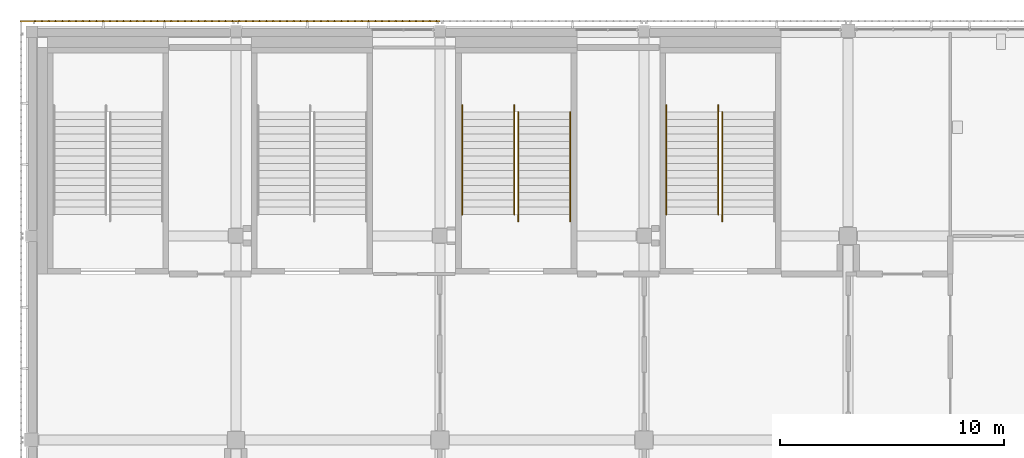
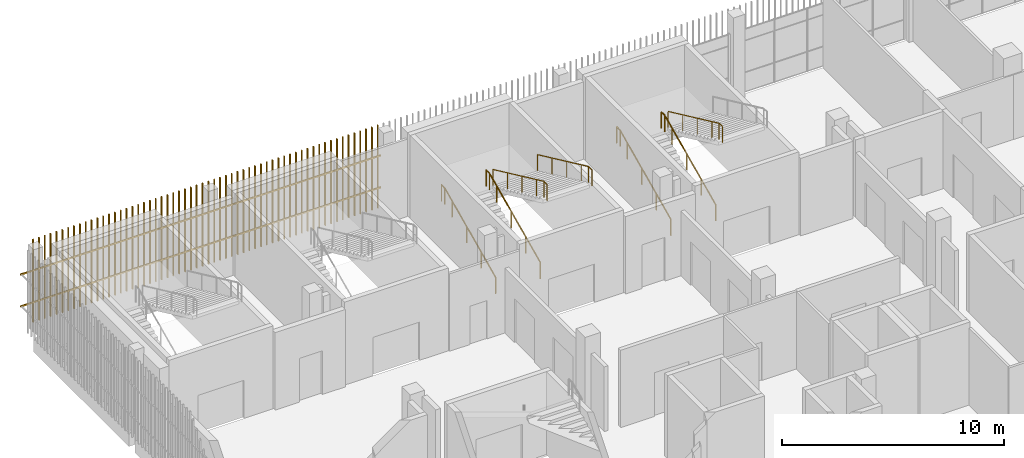
# One storey, part 95 of 104: 7 railings, 2 shading devices.
"""IFC4 building model written with IfcOpenShell, lengths in metres."""

import ifcopenshell
import ifcopenshell.guid

model = None  # the IFC model being written
_history = None  # IfcOwnerHistory: only IFC2X3 demands one
_inside = {}  # id of a spatial element -> (the spatial element, [elements in it])
_under = {}  # id of a project, library or spatial element -> (it, [spatial elements below it])
_declared = {}  # id of a project -> (the project, [libraries it declares])
_typed = {}  # id of a type object -> (the type object, [elements of that type])
_made_of = {}  # id of a material, layer set ... -> (it, [elements and type objects made of it])


def new_model(schema):
    """Start an empty IFC model of exactly this schema.

    Asked for "IFC4X3", IfcOpenShell would pick the latest addendum, in which some entities
    have other attributes; the version numbers below select the first issue.
    IFC2X3 requires an IfcOwnerHistory on every rooted entity: one is made here for all.
    """
    global model, _history
    if schema == "IFC4X3":
        model = ifcopenshell.file(schema_version=(4, 3, 0, 0))
    else:
        model = ifcopenshell.file(schema=schema)
    _inside.clear()
    _under.clear()
    _declared.clear()
    _typed.clear()
    _made_of.clear()
    _history = None
    if model.schema == "IFC2X3":
        org = make("IfcOrganization", Name="unknown")
        user = make(
            "IfcPersonAndOrganization",
            ThePerson=make("IfcPerson", FamilyName="unknown"),
            TheOrganization=org,
        )
        app = make(
            "IfcApplication",
            ApplicationDeveloper=org,
            Version="unknown",
            ApplicationFullName="unknown",
            ApplicationIdentifier="unknown",
        )
        _history = make(
            "IfcOwnerHistory",
            OwningUser=user,
            OwningApplication=app,
            ChangeAction="ADDED",
            CreationDate=0,
        )
    return model


def make(cls, **values):
    """One entity of the class cls with the attributes given. An attribute that is None is left unset."""
    return model.create_entity(
        cls, **{name: value for name, value in values.items() if value is not None}
    )


def rooted(cls, **values):
    """An entity with a GlobalId (a new one), such as an element, a storey or a relation."""
    return make(cls, GlobalId=ifcopenshell.guid.new(), OwnerHistory=_history, **values)


def si_unit(unit_type, name, prefix=None):
    """IfcSIUnit, for example si_unit("LENGTHUNIT", "METRE", prefix="MILLI")."""
    return make("IfcSIUnit", UnitType=unit_type, Prefix=prefix, Name=name)


def assignment(units):
    """IfcUnitAssignment: the units of a project."""
    return None if units is None else make("IfcUnitAssignment", Units=units)


def point(xyz):
    """IfcCartesianPoint."""
    return None if xyz is None else make("IfcCartesianPoint", Coordinates=xyz)


def direction(xyz):
    """IfcDirection."""
    return None if xyz is None else make("IfcDirection", DirectionRatios=xyz)


def frame(location, z_axis=None, x_axis=None):
    """IfcAxis2Placement3D, a coordinate frame: its origin and axes. An axis left out is left unset."""
    return make(
        "IfcAxis2Placement3D",
        Location=point(location),
        Axis=direction(z_axis),
        RefDirection=direction(x_axis),
    )


def frame_2d(location, x_axis=None):
    """IfcAxis2Placement2D, a coordinate frame in the plane: its origin and x axis."""
    return make(
        "IfcAxis2Placement2D", Location=point(location), RefDirection=direction(x_axis)
    )


def origin():
    """The frame at (0, 0, 0) with its axes left unset."""
    return frame((0.0, 0.0, 0.0))


def origin_2d():
    """The frame at (0, 0) in the plane with its x axis left unset."""
    return frame_2d((0.0, 0.0))


def place(relative_to, where):
    """IfcLocalPlacement: puts the frame where relative to a parent placement (None: the world)."""
    return make(
        "IfcLocalPlacement", PlacementRelTo=relative_to, RelativePlacement=where
    )


def context(
    kind, dimensions, precision=None, world=None, true_north=None, identifier=None
):
    """IfcGeometricRepresentationContext, for example the 3D "Model" context."""
    return make(
        "IfcGeometricRepresentationContext",
        ContextIdentifier=identifier,
        ContextType=kind,
        CoordinateSpaceDimension=dimensions,
        Precision=precision,
        WorldCoordinateSystem=world,
        TrueNorth=true_north,
    )


def subcontext(parent, identifier, kind, view, scale=None):
    """IfcGeometricRepresentationSubContext, for example "Body" below "Model"."""
    return make(
        "IfcGeometricRepresentationSubContext",
        ContextIdentifier=identifier,
        ContextType=kind,
        ParentContext=parent,
        TargetScale=scale,
        TargetView=view,
    )


def project(units=None, contexts=None):
    """IfcProject with its units and contexts."""
    return rooted(
        "IfcProject",
        Name="project",
        RepresentationContexts=contexts,
        UnitsInContext=assignment(units),
    )


def spatial(cls, under=None, at=None, **own):
    """A site, building, storey or space (cls), placed at a placement, below another one or the project."""
    s = rooted(cls, ObjectPlacement=at, **own)
    if under is not None:
        _under.setdefault(under.id(), (under, []))[1].append(s)
    return s


def profile(cls, at=None, kind="AREA", **sizes):
    """A parametric profile (cls). Its sizes go by their IFC names, for example OverallWidth=200.0."""
    return make(cls, ProfileType=kind, Position=at, **sizes)


def rectangle(**sizes):
    """IfcRectangleProfileDef."""
    return profile("IfcRectangleProfileDef", **sizes)


def circle(**sizes):
    """IfcCircleProfileDef."""
    return profile("IfcCircleProfileDef", **sizes)


def extrude(swept, where, along, depth):
    """IfcExtrudedAreaSolid: the profile swept, set in the frame where, extruded along a direction by depth."""
    return make(
        "IfcExtrudedAreaSolid",
        SweptArea=swept,
        Position=where,
        ExtrudedDirection=direction(along),
        Depth=depth,
    )


def shape(context_of_items, identifier, shape_type, items):
    """IfcShapeRepresentation: the items that make up one representation, for example the "Body"."""
    return make(
        "IfcShapeRepresentation",
        ContextOfItems=context_of_items,
        RepresentationIdentifier=identifier,
        RepresentationType=shape_type,
        Items=items,
    )


def material(Name=None, Category=None):
    """IfcMaterial."""
    return make("IfcMaterial", Name=Name, Category=Category)


def made_of(thing, what):
    """Note that an element or type object is made of a material, layer set ...; save() writes the relation."""
    if what is not None:
        _made_of.setdefault(what.id(), (what, []))[1].append(thing)
    return thing


def type_object(cls, material=None, **own):
    """A type object (cls), such as IfcWallType, which elements share."""
    return made_of(rooted(cls, **own), material)


def element(
    cls,
    number,
    at=None,
    inside=None,
    cuts=None,
    type_object=None,
    material=None,
    context=None,
    identifier="Body",
    shape_type=None,
    held_by="IfcProductDefinitionShape",
    body=None,
    shapes=None,
    **own,
):
    """One element of the class cls, such as IfcWall. Its Tag is "e" and its number.

    at: its placement. inside: the storey or other place that contains it. cuts: it is an
    opening in that element (IfcRelVoidsElement). A single representation is given by context,
    identifier, shape_type and body (its items); several are given by shapes. held_by: the class
    of the entity that holds the representations. save() writes the other relations.
    """
    e = rooted(cls, Tag="e%d" % number, ObjectPlacement=at, **own)
    if body is not None:
        shapes = [shape(context, identifier, shape_type, body)]
    if shapes is not None:
        e.Representation = make(held_by, Representations=shapes)
    if inside is not None:
        _inside.setdefault(inside.id(), (inside, []))[1].append(e)
    if cuts is not None:
        rooted(
            "IfcRelVoidsElement", RelatingBuildingElement=cuts, RelatedOpeningElement=e
        )
    if type_object is not None:
        _typed.setdefault(type_object.id(), (type_object, []))[1].append(e)
    return made_of(e, material)


def aggregate(whole, parts):
    """IfcRelAggregates: a whole, such as a stair, and the parts it consists of."""
    return rooted("IfcRelAggregates", RelatingObject=whole, RelatedObjects=parts)


def save(model, path):
    """Write the relations noted so far, then the file.

    IfcRelAggregates (storeys below a building ...), IfcRelContainedInSpatialStructure (elements
    in a storey), IfcRelDefinesByType, IfcRelAssociatesMaterial and IfcRelDeclares: one each for
    every whole, place, type object, material and project.
    """
    for whole, parts in _under.values():
        aggregate(whole, parts)
    for where, things in _inside.values():
        rooted(
            "IfcRelContainedInSpatialStructure",
            RelatedElements=things,
            RelatingStructure=where,
        )
    for kind, things in _typed.values():
        rooted("IfcRelDefinesByType", RelatedObjects=things, RelatingType=kind)
    for what, things in _made_of.values():
        rooted("IfcRelAssociatesMaterial", RelatedObjects=things, RelatingMaterial=what)
    for by, libraries in _declared.values():
        rooted("IfcRelDeclares", RelatingContext=by, RelatedDefinitions=libraries)
    model.write(path)


model = new_model("IFC4")

# Units and contexts
model_context = context("Model", 3, precision=1e-05, world=origin(), true_north=direction((0.0, 1.0)))
body_context = subcontext(model_context, "Body", "Model", "MODEL_VIEW")
ifc_project = project(units=[si_unit("LENGTHUNIT", "METRE"), si_unit("AREAUNIT", "SQUARE_METRE"), si_unit("VOLUMEUNIT", "CUBIC_METRE"), si_unit("PLANEANGLEUNIT", "RADIAN"), si_unit("MASSUNIT", "GRAM", prefix="KILO")], contexts=[model_context])

# Site, building, storey
site_placement = place(None, origin())
site = spatial("IfcSite", under=ifc_project, at=site_placement, CompositionType="ELEMENT")
building_placement = place(site_placement, origin())
building = spatial("IfcBuilding", under=site, at=building_placement, Name="Shirokan Park Arena", CompositionType="ELEMENT")
storey_placement = place(building_placement, frame((0.0, 0.0, 10.919921875)))
storey = spatial("IfcBuildingStorey", under=building, at=storey_placement, Name="L02", CompositionType="ELEMENT", Elevation=10.919921875)

# Railings
ifc_material_1 = material(Name="Stainless steel", Category="steel")
railing_type = type_object("IfcRailingType", Name="Stair handrail 900", PredefinedType="HANDRAIL", material=ifc_material_1)
railing_1_placement = place(storey_placement, frame((19.18994140625, 101.050048828125, 0.15185546875)))
element("IfcRailing", 1, at=railing_1_placement, inside=storey, type_object=railing_type, Name="Handrail Exit Stair 4.C L02 to L03", PredefinedType="HANDRAIL", context=body_context, shape_type="SweptSolid", body=[
    extrude(circle(Radius=0.02392578125, at=origin_2d()), frame((0.0, 0.0, 0.8759765625), z_axis=(0.0, 0.907064445915, 0.420991794405), x_axis=(-1.0, 0.0, 0.0)), (0.0, 0.0, 1.0), 1.4404296875),
    extrude(circle(Radius=0.02392578125, at=origin_2d()), frame((0.0, 1.306640625, 1.482421875), z_axis=(0.0, 0.907029769225, 0.421066500378), x_axis=(-1.0, 0.0, 0.0)), (0.0, 0.0, 1.0), 1.44091796875),
    extrude(circle(Radius=0.02392578125, at=origin_2d()), frame((0.0, 2.613525390625, 2.0888671875), z_axis=(0.0, 0.907029769225, 0.421066500378), x_axis=(-1.0, 0.0, 0.0)), (0.0, 0.0, 1.0), 1.44091796875),
    extrude(circle(Radius=0.02392578125, at=origin_2d()), frame((0.0, 3.92041015625, 2.69580078125), z_axis=(0.0, 0.906934982928, 0.421270621741), x_axis=(-1.0, 0.0, 0.0)), (0.0, 0.0, 1.0), 0.720458984375),
    extrude(circle(Radius=0.02392578125, at=origin_2d()), frame((0.0, 4.57373046875, 2.9990234375), z_axis=(0.0, 1.0, 0.0), x_axis=(-1.0, 0.0, 0.0)), (0.0, 0.0, 1.0), 0.300048828125),
    extrude(circle(Radius=0.02099609375, at=origin_2d()), origin(), (0.0, 0.0, 1.0), 0.851806640625),
    extrude(circle(Radius=0.02099609375, at=origin_2d()), frame((0.0, 1.306640625, 0.6064453125)), (0.0, 0.0, 1.0), 0.851806640625),
    extrude(circle(Radius=0.02099609375, at=origin_2d()), frame((0.0, 2.613525390625, 1.213134765625)), (0.0, 0.0, 1.0), 0.851806640625),
    extrude(circle(Radius=0.02099609375, at=origin_2d()), frame((0.0, 3.92041015625, 1.81982421875)), (0.0, 0.0, 1.0), 0.851806640625),
    extrude(circle(Radius=0.02099609375, at=origin_2d()), frame((0.0, 4.57373046875, 2.123291015625)), (0.0, 0.0, 1.0), 0.851806640625),
    extrude(circle(Radius=0.02099609375, at=origin_2d()), frame((0.0, 4.873779296875, 2.123291015625)), (0.0, 0.0, 1.0), 0.851806640625),
])
railing_2_placement = place(storey_placement, frame((21.510009765625, 101.050048828125, 0.15185546875)))
element("IfcRailing", 2, at=railing_2_placement, inside=storey, type_object=railing_type, Name="Handrail Exit Stair 4.C L02 to L03", PredefinedType="HANDRAIL", context=body_context, shape_type="SweptSolid", body=[
    extrude(circle(Radius=0.02392578125, at=origin_2d()), frame((0.0, 0.0, 0.8759765625), z_axis=(0.0, 0.907064445915, 0.420991794405), x_axis=(-1.0, 0.0, 0.0)), (0.0, 0.0, 1.0), 1.4404296875),
    extrude(circle(Radius=0.02392578125, at=origin_2d()), frame((0.0, 1.306640625, 1.482421875), z_axis=(0.0, 0.907029769225, 0.421066500378), x_axis=(-1.0, 0.0, 0.0)), (0.0, 0.0, 1.0), 1.44091796875),
    extrude(circle(Radius=0.02392578125, at=origin_2d()), frame((0.0, 2.613525390625, 2.0888671875), z_axis=(0.0, 0.907029769225, 0.421066500378), x_axis=(-1.0, 0.0, 0.0)), (0.0, 0.0, 1.0), 1.44091796875),
    extrude(circle(Radius=0.02392578125, at=origin_2d()), frame((0.0, 3.92041015625, 2.69580078125), z_axis=(0.0, 0.906934982928, 0.421270621741), x_axis=(-1.0, 0.0, 0.0)), (0.0, 0.0, 1.0), 0.720458984375),
    extrude(circle(Radius=0.02392578125, at=origin_2d()), frame((0.0, 4.57373046875, 2.9990234375), z_axis=(0.0, 1.0, 0.0), x_axis=(-1.0, 0.0, 0.0)), (0.0, 0.0, 1.0), 0.300048828125),
    extrude(circle(Radius=0.02099609375, at=origin_2d()), origin(), (0.0, 0.0, 1.0), 0.851806640625),
    extrude(circle(Radius=0.02099609375, at=origin_2d()), frame((0.0, 1.306640625, 0.6064453125)), (0.0, 0.0, 1.0), 0.851806640625),
    extrude(circle(Radius=0.02099609375, at=origin_2d()), frame((0.0, 2.613525390625, 1.213134765625)), (0.0, 0.0, 1.0), 0.851806640625),
    extrude(circle(Radius=0.02099609375, at=origin_2d()), frame((0.0, 3.92041015625, 1.81982421875)), (0.0, 0.0, 1.0), 0.851806640625),
    extrude(circle(Radius=0.02099609375, at=origin_2d()), frame((0.0, 4.57373046875, 2.123291015625)), (0.0, 0.0, 1.0), 0.851806640625),
    extrude(circle(Radius=0.02099609375, at=origin_2d()), frame((0.0, 4.873779296875, 2.123291015625)), (0.0, 0.0, 1.0), 0.851806640625),
])
railing_3_placement = place(storey_placement, frame((21.68994140625, 105.623779296875, 2.4267578125)))
element("IfcRailing", 3, at=railing_3_placement, inside=storey, type_object=railing_type, Name="Handrail Exit Stair 4.C L02 to L03", PredefinedType="HANDRAIL", context=body_context, shape_type="SweptSolid", body=[
    extrude(circle(Radius=0.02392578125, at=origin_2d()), frame((0.0, 0.0, 0.8759765625), z_axis=(0.0, -0.907029769225, 0.421066500378), x_axis=(1.0, 0.0, 0.0)), (0.0, 0.0, 1.0), 1.44091796875),
    extrude(circle(Radius=0.02392578125, at=origin_2d()), frame((0.0, -1.306884765625, 1.482421875), z_axis=(0.0, -0.906999720516, 0.421131222998), x_axis=(1.0, 0.0, 0.0)), (0.0, 0.0, 1.0), 1.440673828125),
    extrude(circle(Radius=0.02392578125, at=origin_2d()), frame((0.0, -2.613525390625, 2.08935546875), z_axis=(0.0, -0.907029769225, 0.421066500378), x_axis=(1.0, 0.0, 0.0)), (0.0, 0.0, 1.0), 1.44091796875),
    extrude(circle(Radius=0.02392578125, at=origin_2d()), frame((0.0, -3.92041015625, 2.69580078125), z_axis=(0.0, -0.907064445915, 0.420991794405), x_axis=(1.0, 0.0, 0.0)), (0.0, 0.0, 1.0), 0.72021484375),
    extrude(circle(Radius=0.02392578125, at=origin_2d()), frame((0.0, -4.57373046875, 2.9990234375), z_axis=(0.0, -1.0, 0.0), x_axis=(1.0, 0.0, 0.0)), (0.0, 0.0, 1.0), 0.300048828125),
    extrude(circle(Radius=0.02099609375, at=origin_2d()), origin(), (0.0, 0.0, 1.0), 0.851806640625),
    extrude(circle(Radius=0.02099609375, at=origin_2d()), frame((0.0, -1.306884765625, 0.606689453125)), (0.0, 0.0, 1.0), 0.851806640625),
    extrude(circle(Radius=0.02099609375, at=origin_2d()), frame((0.0, -2.613525390625, 1.21337890625)), (0.0, 0.0, 1.0), 0.851806640625),
    extrude(circle(Radius=0.02099609375, at=origin_2d()), frame((0.0, -3.92041015625, 1.820068359375)), (0.0, 0.0, 1.0), 0.851806640625),
    extrude(circle(Radius=0.02099609375, at=origin_2d()), frame((0.0, -4.57373046875, 2.123291015625)), (0.0, 0.0, 1.0), 0.851806640625),
    extrude(circle(Radius=0.02099609375, at=origin_2d()), frame((0.0, -4.873779296875, 2.123291015625)), (0.0, 0.0, 1.0), 0.851806640625),
])
railing_4_placement = place(storey_placement, frame((24.010009765625, 105.623779296875, 2.4267578125)))
element("IfcRailing", 4, at=railing_4_placement, inside=storey, type_object=railing_type, Name="Handrail Exit Stair 4.C L02 to L03", PredefinedType="HANDRAIL", context=body_context, shape_type="SweptSolid", body=[
    extrude(circle(Radius=0.02392578125, at=origin_2d()), frame((0.0, 0.0, 0.8759765625), z_axis=(0.0, -0.907029769225, 0.421066500378), x_axis=(1.0, 0.0, 0.0)), (0.0, 0.0, 1.0), 1.44091796875),
    extrude(circle(Radius=0.02392578125, at=origin_2d()), frame((0.0, -1.306884765625, 1.482421875), z_axis=(0.0, -0.906999720516, 0.421131222998), x_axis=(1.0, 0.0, 0.0)), (0.0, 0.0, 1.0), 1.440673828125),
    extrude(circle(Radius=0.02392578125, at=origin_2d()), frame((0.0, -2.613525390625, 2.08935546875), z_axis=(0.0, -0.907029769225, 0.421066500378), x_axis=(1.0, 0.0, 0.0)), (0.0, 0.0, 1.0), 1.44091796875),
    extrude(circle(Radius=0.02392578125, at=origin_2d()), frame((0.0, -3.92041015625, 2.69580078125), z_axis=(0.0, -0.907064445915, 0.420991794405), x_axis=(1.0, 0.0, 0.0)), (0.0, 0.0, 1.0), 0.72021484375),
    extrude(circle(Radius=0.02392578125, at=origin_2d()), frame((0.0, -4.57373046875, 2.9990234375), z_axis=(0.0, -1.0, 0.0), x_axis=(1.0, 0.0, 0.0)), (0.0, 0.0, 1.0), 0.300048828125),
    extrude(circle(Radius=0.02099609375, at=origin_2d()), origin(), (0.0, 0.0, 1.0), 0.851806640625),
    extrude(circle(Radius=0.02099609375, at=origin_2d()), frame((0.0, -1.306884765625, 0.606689453125)), (0.0, 0.0, 1.0), 0.851806640625),
    extrude(circle(Radius=0.02099609375, at=origin_2d()), frame((0.0, -2.613525390625, 1.21337890625)), (0.0, 0.0, 1.0), 0.851806640625),
    extrude(circle(Radius=0.02099609375, at=origin_2d()), frame((0.0, -3.92041015625, 1.820068359375)), (0.0, 0.0, 1.0), 0.851806640625),
    extrude(circle(Radius=0.02099609375, at=origin_2d()), frame((0.0, -4.57373046875, 2.123291015625)), (0.0, 0.0, 1.0), 0.851806640625),
    extrude(circle(Radius=0.02099609375, at=origin_2d()), frame((0.0, -4.873779296875, 2.123291015625)), (0.0, 0.0, 1.0), 0.851806640625),
])
railing_5_placement = place(storey_placement, frame((28.2900390625, 101.050048828125, 0.15185546875)))
element("IfcRailing", 5, at=railing_5_placement, inside=storey, type_object=railing_type, Name="Handrail Exit Stair 4.D L02 to L03", PredefinedType="HANDRAIL", context=body_context, shape_type="SweptSolid", body=[
    extrude(circle(Radius=0.02392578125, at=origin_2d()), frame((0.0, 0.0, 0.8759765625), z_axis=(0.0, 0.907064445915, 0.420991794405), x_axis=(-1.0, 0.0, 0.0)), (0.0, 0.0, 1.0), 1.4404296875),
    extrude(circle(Radius=0.02392578125, at=origin_2d()), frame((0.0, 1.306640625, 1.482421875), z_axis=(0.0, 0.907029769225, 0.421066500378), x_axis=(-1.0, 0.0, 0.0)), (0.0, 0.0, 1.0), 1.44091796875),
    extrude(circle(Radius=0.02392578125, at=origin_2d()), frame((0.0, 2.613525390625, 2.0888671875), z_axis=(0.0, 0.907029769225, 0.421066500378), x_axis=(-1.0, 0.0, 0.0)), (0.0, 0.0, 1.0), 1.44091796875),
    extrude(circle(Radius=0.02392578125, at=origin_2d()), frame((0.0, 3.92041015625, 2.69580078125), z_axis=(0.0, 0.906934982928, 0.421270621741), x_axis=(-1.0, 0.0, 0.0)), (0.0, 0.0, 1.0), 0.720458984375),
    extrude(circle(Radius=0.02392578125, at=origin_2d()), frame((0.0, 4.57373046875, 2.9990234375), z_axis=(0.0, 1.0, 0.0), x_axis=(-1.0, 0.0, 0.0)), (0.0, 0.0, 1.0), 0.300048828125),
    extrude(circle(Radius=0.02099609375, at=origin_2d()), origin(), (0.0, 0.0, 1.0), 0.851806640625),
    extrude(circle(Radius=0.02099609375, at=origin_2d()), frame((0.0, 1.306640625, 0.6064453125)), (0.0, 0.0, 1.0), 0.851806640625),
    extrude(circle(Radius=0.02099609375, at=origin_2d()), frame((0.0, 2.613525390625, 1.213134765625)), (0.0, 0.0, 1.0), 0.851806640625),
    extrude(circle(Radius=0.02099609375, at=origin_2d()), frame((0.0, 3.92041015625, 1.81982421875)), (0.0, 0.0, 1.0), 0.851806640625),
    extrude(circle(Radius=0.02099609375, at=origin_2d()), frame((0.0, 4.57373046875, 2.123291015625)), (0.0, 0.0, 1.0), 0.851806640625),
    extrude(circle(Radius=0.02099609375, at=origin_2d()), frame((0.0, 4.873779296875, 2.123291015625)), (0.0, 0.0, 1.0), 0.851806640625),
])
railing_6_placement = place(storey_placement, frame((30.610107421875, 101.050048828125, 0.15185546875)))
element("IfcRailing", 6, at=railing_6_placement, inside=storey, type_object=railing_type, Name="Handrail Exit Stair 4.D L02 to L03", PredefinedType="HANDRAIL", context=body_context, shape_type="SweptSolid", body=[
    extrude(circle(Radius=0.02392578125, at=origin_2d()), frame((0.0, 0.0, 0.8759765625), z_axis=(0.0, 0.907064445915, 0.420991794405), x_axis=(-1.0, 0.0, 0.0)), (0.0, 0.0, 1.0), 1.4404296875),
    extrude(circle(Radius=0.02392578125, at=origin_2d()), frame((0.0, 1.306640625, 1.482421875), z_axis=(0.0, 0.907029769225, 0.421066500378), x_axis=(-1.0, 0.0, 0.0)), (0.0, 0.0, 1.0), 1.44091796875),
    extrude(circle(Radius=0.02392578125, at=origin_2d()), frame((0.0, 2.613525390625, 2.0888671875), z_axis=(0.0, 0.907029769225, 0.421066500378), x_axis=(-1.0, 0.0, 0.0)), (0.0, 0.0, 1.0), 1.44091796875),
    extrude(circle(Radius=0.02392578125, at=origin_2d()), frame((0.0, 3.92041015625, 2.69580078125), z_axis=(0.0, 0.906934982928, 0.421270621741), x_axis=(-1.0, 0.0, 0.0)), (0.0, 0.0, 1.0), 0.720458984375),
    extrude(circle(Radius=0.02392578125, at=origin_2d()), frame((0.0, 4.57373046875, 2.9990234375), z_axis=(0.0, 1.0, 0.0), x_axis=(-1.0, 0.0, 0.0)), (0.0, 0.0, 1.0), 0.300048828125),
    extrude(circle(Radius=0.02099609375, at=origin_2d()), origin(), (0.0, 0.0, 1.0), 0.851806640625),
    extrude(circle(Radius=0.02099609375, at=origin_2d()), frame((0.0, 1.306640625, 0.6064453125)), (0.0, 0.0, 1.0), 0.851806640625),
    extrude(circle(Radius=0.02099609375, at=origin_2d()), frame((0.0, 2.613525390625, 1.213134765625)), (0.0, 0.0, 1.0), 0.851806640625),
    extrude(circle(Radius=0.02099609375, at=origin_2d()), frame((0.0, 3.92041015625, 1.81982421875)), (0.0, 0.0, 1.0), 0.851806640625),
    extrude(circle(Radius=0.02099609375, at=origin_2d()), frame((0.0, 4.57373046875, 2.123291015625)), (0.0, 0.0, 1.0), 0.851806640625),
    extrude(circle(Radius=0.02099609375, at=origin_2d()), frame((0.0, 4.873779296875, 2.123291015625)), (0.0, 0.0, 1.0), 0.851806640625),
])
railing_7_placement = place(storey_placement, frame((30.7900390625, 105.623779296875, 2.4267578125)))
element("IfcRailing", 7, at=railing_7_placement, inside=storey, type_object=railing_type, Name="Handrail Exit Stair 4.D L02 to L03", PredefinedType="HANDRAIL", context=body_context, shape_type="SweptSolid", body=[
    extrude(circle(Radius=0.02392578125, at=origin_2d()), frame((0.0, 0.0, 0.8759765625), z_axis=(0.0, -0.907029769225, 0.421066500378), x_axis=(1.0, 0.0, 0.0)), (0.0, 0.0, 1.0), 1.44091796875),
    extrude(circle(Radius=0.02392578125, at=origin_2d()), frame((0.0, -1.306884765625, 1.482421875), z_axis=(0.0, -0.906999720516, 0.421131222998), x_axis=(1.0, 0.0, 0.0)), (0.0, 0.0, 1.0), 1.440673828125),
    extrude(circle(Radius=0.02392578125, at=origin_2d()), frame((0.0, -2.613525390625, 2.08935546875), z_axis=(0.0, -0.907029769225, 0.421066500378), x_axis=(1.0, 0.0, 0.0)), (0.0, 0.0, 1.0), 1.44091796875),
    extrude(circle(Radius=0.02392578125, at=origin_2d()), frame((0.0, -3.92041015625, 2.69580078125), z_axis=(0.0, -0.907064445915, 0.420991794405), x_axis=(1.0, 0.0, 0.0)), (0.0, 0.0, 1.0), 0.72021484375),
    extrude(circle(Radius=0.02392578125, at=origin_2d()), frame((0.0, -4.57373046875, 2.9990234375), z_axis=(0.0, -1.0, 0.0), x_axis=(1.0, 0.0, 0.0)), (0.0, 0.0, 1.0), 0.300048828125),
    extrude(circle(Radius=0.02099609375, at=origin_2d()), origin(), (0.0, 0.0, 1.0), 0.851806640625),
    extrude(circle(Radius=0.02099609375, at=origin_2d()), frame((0.0, -1.306884765625, 0.606689453125)), (0.0, 0.0, 1.0), 0.851806640625),
    extrude(circle(Radius=0.02099609375, at=origin_2d()), frame((0.0, -2.613525390625, 1.21337890625)), (0.0, 0.0, 1.0), 0.851806640625),
    extrude(circle(Radius=0.02099609375, at=origin_2d()), frame((0.0, -3.92041015625, 1.820068359375)), (0.0, 0.0, 1.0), 0.851806640625),
    extrude(circle(Radius=0.02099609375, at=origin_2d()), frame((0.0, -4.57373046875, 2.123291015625)), (0.0, 0.0, 1.0), 0.851806640625),
    extrude(circle(Radius=0.02099609375, at=origin_2d()), frame((0.0, -4.873779296875, 2.123291015625)), (0.0, 0.0, 1.0), 0.851806640625),
])

# Shading devices
ifc_material_2 = material(Name="Timber louvre veil (cedar)", Category="wood")
shading_device_type = type_object("IfcShadingDeviceType", Name="Timber louvre veil panel", PredefinedType="JALOUSIE", material=ifc_material_2)
shading_device_1_placement = place(storey_placement, origin())
element("IfcShadingDevice", 8, at=shading_device_1_placement, inside=storey, type_object=shading_device_type, Name="Timber louvre veil north bay 15 L02", PredefinedType="JALOUSIE", context=body_context, shape_type="SweptSolid", body=[
    extrude(rectangle(XDim=0.050048828125, YDim=0.080078125, at=origin_2d()), frame((18.04833984375, 109.68505859375, 0.0), z_axis=(0.0, 0.0, 1.0), x_axis=(-1.0, 0.0, 0.0)), (0.0, 0.0, 1.0), 4.550048828125),
    extrude(rectangle(XDim=0.050048828125, YDim=0.080078125, at=origin_2d()), frame((17.7451171875, 109.68505859375, 0.0), z_axis=(0.0, 0.0, 1.0), x_axis=(-1.0, 0.0, 0.0)), (0.0, 0.0, 1.0), 4.550048828125),
    extrude(rectangle(XDim=0.050048828125, YDim=0.080078125, at=origin_2d()), frame((17.441650390625, 109.68505859375, 0.0), z_axis=(0.0, 0.0, 1.0), x_axis=(-1.0, 0.0, 0.0)), (0.0, 0.0, 1.0), 4.550048828125),
    extrude(rectangle(XDim=0.050048828125, YDim=0.080078125, at=origin_2d()), frame((17.138427734375, 109.68505859375, 0.0), z_axis=(0.0, 0.0, 1.0), x_axis=(-1.0, 0.0, 0.0)), (0.0, 0.0, 1.0), 4.550048828125),
    extrude(rectangle(XDim=0.050048828125, YDim=0.080078125, at=origin_2d()), frame((16.8349609375, 109.68505859375, 0.0), z_axis=(0.0, 0.0, 1.0), x_axis=(-1.0, 0.0, 0.0)), (0.0, 0.0, 1.0), 4.550048828125),
    extrude(rectangle(XDim=0.050048828125, YDim=0.080078125, at=origin_2d()), frame((16.53173828125, 109.68505859375, 0.0), z_axis=(0.0, 0.0, 1.0), x_axis=(-1.0, 0.0, 0.0)), (0.0, 0.0, 1.0), 4.550048828125),
    extrude(rectangle(XDim=0.050048828125, YDim=0.080078125, at=origin_2d()), frame((16.228271484375, 109.68505859375, 0.0), z_axis=(0.0, 0.0, 1.0), x_axis=(-1.0, 0.0, 0.0)), (0.0, 0.0, 1.0), 4.550048828125),
    extrude(rectangle(XDim=0.050048828125, YDim=0.080078125, at=origin_2d()), frame((15.925048828125, 109.68505859375, 0.0), z_axis=(0.0, 0.0, 1.0), x_axis=(-1.0, 0.0, 0.0)), (0.0, 0.0, 1.0), 4.550048828125),
    extrude(rectangle(XDim=0.050048828125, YDim=0.080078125, at=origin_2d()), frame((15.62158203125, 109.68505859375, 0.0), z_axis=(0.0, 0.0, 1.0), x_axis=(-1.0, 0.0, 0.0)), (0.0, 0.0, 1.0), 4.550048828125),
    extrude(rectangle(XDim=0.050048828125, YDim=0.080078125, at=origin_2d()), frame((15.318359375, 109.68505859375, 0.0), z_axis=(0.0, 0.0, 1.0), x_axis=(-1.0, 0.0, 0.0)), (0.0, 0.0, 1.0), 4.550048828125),
    extrude(rectangle(XDim=0.050048828125, YDim=0.080078125, at=origin_2d()), frame((15.014892578125, 109.68505859375, 0.0), z_axis=(0.0, 0.0, 1.0), x_axis=(-1.0, 0.0, 0.0)), (0.0, 0.0, 1.0), 4.550048828125),
    extrude(rectangle(XDim=0.050048828125, YDim=0.080078125, at=origin_2d()), frame((14.711669921875, 109.68505859375, 0.0), z_axis=(0.0, 0.0, 1.0), x_axis=(-1.0, 0.0, 0.0)), (0.0, 0.0, 1.0), 4.550048828125),
    extrude(rectangle(XDim=0.050048828125, YDim=0.080078125, at=origin_2d()), frame((14.408447265625, 109.68505859375, 0.0), z_axis=(0.0, 0.0, 1.0), x_axis=(-1.0, 0.0, 0.0)), (0.0, 0.0, 1.0), 4.550048828125),
    extrude(rectangle(XDim=0.050048828125, YDim=0.080078125, at=origin_2d()), frame((14.10498046875, 109.68505859375, 0.0), z_axis=(0.0, 0.0, 1.0), x_axis=(-1.0, 0.0, 0.0)), (0.0, 0.0, 1.0), 4.550048828125),
    extrude(rectangle(XDim=0.050048828125, YDim=0.080078125, at=origin_2d()), frame((13.8017578125, 109.68505859375, 0.0), z_axis=(0.0, 0.0, 1.0), x_axis=(-1.0, 0.0, 0.0)), (0.0, 0.0, 1.0), 4.550048828125),
    extrude(rectangle(XDim=0.050048828125, YDim=0.080078125, at=origin_2d()), frame((13.498291015625, 109.68505859375, 0.0), z_axis=(0.0, 0.0, 1.0), x_axis=(-1.0, 0.0, 0.0)), (0.0, 0.0, 1.0), 4.550048828125),
    extrude(rectangle(XDim=0.050048828125, YDim=0.080078125, at=origin_2d()), frame((13.195068359375, 109.68505859375, 0.0), z_axis=(0.0, 0.0, 1.0), x_axis=(-1.0, 0.0, 0.0)), (0.0, 0.0, 1.0), 4.550048828125),
    extrude(rectangle(XDim=0.050048828125, YDim=0.080078125, at=origin_2d()), frame((12.8916015625, 109.68505859375, 0.0), z_axis=(0.0, 0.0, 1.0), x_axis=(-1.0, 0.0, 0.0)), (0.0, 0.0, 1.0), 4.550048828125),
    extrude(rectangle(XDim=0.050048828125, YDim=0.080078125, at=origin_2d()), frame((12.58837890625, 109.68505859375, 0.0), z_axis=(0.0, 0.0, 1.0), x_axis=(-1.0, 0.0, 0.0)), (0.0, 0.0, 1.0), 4.550048828125),
    extrude(rectangle(XDim=0.050048828125, YDim=0.080078125, at=origin_2d()), frame((12.284912109375, 109.68505859375, 0.0), z_axis=(0.0, 0.0, 1.0), x_axis=(-1.0, 0.0, 0.0)), (0.0, 0.0, 1.0), 4.550048828125),
    extrude(rectangle(XDim=0.050048828125, YDim=0.080078125, at=origin_2d()), frame((11.981689453125, 109.68505859375, 0.0), z_axis=(0.0, 0.0, 1.0), x_axis=(-1.0, 0.0, 0.0)), (0.0, 0.0, 1.0), 4.550048828125),
    extrude(rectangle(XDim=0.050048828125, YDim=0.080078125, at=origin_2d()), frame((11.67822265625, 109.68505859375, 0.0), z_axis=(0.0, 0.0, 1.0), x_axis=(-1.0, 0.0, 0.0)), (0.0, 0.0, 1.0), 4.550048828125),
    extrude(rectangle(XDim=0.050048828125, YDim=0.080078125, at=origin_2d()), frame((11.375, 109.68505859375, 0.0), z_axis=(0.0, 0.0, 1.0), x_axis=(-1.0, 0.0, 0.0)), (0.0, 0.0, 1.0), 4.550048828125),
    extrude(rectangle(XDim=0.050048828125, YDim=0.080078125, at=origin_2d()), frame((11.07177734375, 109.68505859375, 0.0), z_axis=(0.0, 0.0, 1.0), x_axis=(-1.0, 0.0, 0.0)), (0.0, 0.0, 1.0), 4.550048828125),
    extrude(rectangle(XDim=0.050048828125, YDim=0.080078125, at=origin_2d()), frame((10.768310546875, 109.68505859375, 0.0), z_axis=(0.0, 0.0, 1.0), x_axis=(-1.0, 0.0, 0.0)), (0.0, 0.0, 1.0), 4.550048828125),
    extrude(rectangle(XDim=0.050048828125, YDim=0.080078125, at=origin_2d()), frame((10.465087890625, 109.68505859375, 0.0), z_axis=(0.0, 0.0, 1.0), x_axis=(-1.0, 0.0, 0.0)), (0.0, 0.0, 1.0), 4.550048828125),
    extrude(rectangle(XDim=0.050048828125, YDim=0.080078125, at=origin_2d()), frame((10.16162109375, 109.68505859375, 0.0), z_axis=(0.0, 0.0, 1.0), x_axis=(-1.0, 0.0, 0.0)), (0.0, 0.0, 1.0), 4.550048828125),
    extrude(rectangle(XDim=0.050048828125, YDim=0.080078125, at=origin_2d()), frame((9.8583984375, 109.68505859375, 0.0), z_axis=(0.0, 0.0, 1.0), x_axis=(-1.0, 0.0, 0.0)), (0.0, 0.0, 1.0), 4.550048828125),
    extrude(rectangle(XDim=0.050048828125, YDim=0.080078125, at=origin_2d()), frame((9.554931640625, 109.68505859375, 0.0), z_axis=(0.0, 0.0, 1.0), x_axis=(-1.0, 0.0, 0.0)), (0.0, 0.0, 1.0), 4.550048828125),
    extrude(rectangle(XDim=0.050048828125, YDim=0.080078125, at=origin_2d()), frame((9.251708984375, 109.68505859375, 0.0), z_axis=(0.0, 0.0, 1.0), x_axis=(-1.0, 0.0, 0.0)), (0.0, 0.0, 1.0), 4.550048828125),
    extrude(rectangle(XDim=9.10009765625, YDim=0.050048828125, at=origin_2d()), frame((13.64990234375, 109.669921875, 1.06005859375), z_axis=(0.0, 0.0, 1.0), x_axis=(-1.0, 0.0, 0.0)), (0.0, 0.0, 1.0), 0.080078125),
    extrude(rectangle(XDim=9.10009765625, YDim=0.050048828125, at=origin_2d()), frame((13.64990234375, 109.669921875, 2.81005859375), z_axis=(0.0, 0.0, 1.0), x_axis=(-1.0, 0.0, 0.0)), (0.0, 0.0, 1.0), 0.080078125),
])
shading_device_2_placement = place(storey_placement, origin())
element("IfcShadingDevice", 9, at=shading_device_2_placement, inside=storey, type_object=shading_device_type, Name="Timber louvre veil north bay 16 L02", PredefinedType="JALOUSIE", context=body_context, shape_type="SweptSolid", body=[
    extrude(rectangle(XDim=0.050048828125, YDim=0.080078125, at=origin_2d()), frame((8.9482421875, 109.68505859375, 0.0), z_axis=(0.0, 0.0, 1.0), x_axis=(-1.0, 0.0, 0.0)), (0.0, 0.0, 1.0), 4.550048828125),
    extrude(rectangle(XDim=0.050048828125, YDim=0.080078125, at=origin_2d()), frame((8.64501953125, 109.68505859375, 0.0), z_axis=(0.0, 0.0, 1.0), x_axis=(-1.0, 0.0, 0.0)), (0.0, 0.0, 1.0), 4.550048828125),
    extrude(rectangle(XDim=0.050048828125, YDim=0.080078125, at=origin_2d()), frame((8.341552734375, 109.68505859375, 0.0), z_axis=(0.0, 0.0, 1.0), x_axis=(-1.0, 0.0, 0.0)), (0.0, 0.0, 1.0), 4.550048828125),
    extrude(rectangle(XDim=0.050048828125, YDim=0.080078125, at=origin_2d()), frame((8.038330078125, 109.68505859375, 0.0), z_axis=(0.0, 0.0, 1.0), x_axis=(-1.0, 0.0, 0.0)), (0.0, 0.0, 1.0), 4.550048828125),
    extrude(rectangle(XDim=0.050048828125, YDim=0.080078125, at=origin_2d()), frame((7.735107421875, 109.68505859375, 0.0), z_axis=(0.0, 0.0, 1.0), x_axis=(-1.0, 0.0, 0.0)), (0.0, 0.0, 1.0), 4.550048828125),
    extrude(rectangle(XDim=0.050048828125, YDim=0.080078125, at=origin_2d()), frame((7.431640625, 109.68505859375, 0.0), z_axis=(0.0, 0.0, 1.0), x_axis=(-1.0, 0.0, 0.0)), (0.0, 0.0, 1.0), 4.550048828125),
    extrude(rectangle(XDim=0.050048828125, YDim=0.080078125, at=origin_2d()), frame((7.12841796875, 109.68505859375, 0.0), z_axis=(0.0, 0.0, 1.0), x_axis=(-1.0, 0.0, 0.0)), (0.0, 0.0, 1.0), 4.550048828125),
    extrude(rectangle(XDim=0.050048828125, YDim=0.080078125, at=origin_2d()), frame((6.824951171875, 109.68505859375, 0.0), z_axis=(0.0, 0.0, 1.0), x_axis=(-1.0, 0.0, 0.0)), (0.0, 0.0, 1.0), 4.550048828125),
    extrude(rectangle(XDim=0.050048828125, YDim=0.080078125, at=origin_2d()), frame((6.521728515625, 109.68505859375, 0.0), z_axis=(0.0, 0.0, 1.0), x_axis=(-1.0, 0.0, 0.0)), (0.0, 0.0, 1.0), 4.550048828125),
    extrude(rectangle(XDim=0.050048828125, YDim=0.080078125, at=origin_2d()), frame((6.21826171875, 109.68505859375, 0.0), z_axis=(0.0, 0.0, 1.0), x_axis=(-1.0, 0.0, 0.0)), (0.0, 0.0, 1.0), 4.550048828125),
    extrude(rectangle(XDim=0.050048828125, YDim=0.080078125, at=origin_2d()), frame((5.9150390625, 109.68505859375, 0.0), z_axis=(0.0, 0.0, 1.0), x_axis=(-1.0, 0.0, 0.0)), (0.0, 0.0, 1.0), 4.550048828125),
    extrude(rectangle(XDim=0.050048828125, YDim=0.080078125, at=origin_2d()), frame((5.611572265625, 109.68505859375, 0.0), z_axis=(0.0, 0.0, 1.0), x_axis=(-1.0, 0.0, 0.0)), (0.0, 0.0, 1.0), 4.550048828125),
    extrude(rectangle(XDim=0.050048828125, YDim=0.080078125, at=origin_2d()), frame((5.308349609375, 109.68505859375, 0.0), z_axis=(0.0, 0.0, 1.0), x_axis=(-1.0, 0.0, 0.0)), (0.0, 0.0, 1.0), 4.550048828125),
    extrude(rectangle(XDim=0.050048828125, YDim=0.080078125, at=origin_2d()), frame((5.0048828125, 109.68505859375, 0.0), z_axis=(0.0, 0.0, 1.0), x_axis=(-1.0, 0.0, 0.0)), (0.0, 0.0, 1.0), 4.550048828125),
    extrude(rectangle(XDim=0.050048828125, YDim=0.080078125, at=origin_2d()), frame((4.70166015625, 109.68505859375, 0.0), z_axis=(0.0, 0.0, 1.0), x_axis=(-1.0, 0.0, 0.0)), (0.0, 0.0, 1.0), 4.550048828125),
    extrude(rectangle(XDim=0.050048828125, YDim=0.080078125, at=origin_2d()), frame((4.3984375, 109.68505859375, 0.0), z_axis=(0.0, 0.0, 1.0), x_axis=(-1.0, 0.0, 0.0)), (0.0, 0.0, 1.0), 4.550048828125),
    extrude(rectangle(XDim=0.050048828125, YDim=0.080078125, at=origin_2d()), frame((4.094970703125, 109.68505859375, 0.0), z_axis=(0.0, 0.0, 1.0), x_axis=(-1.0, 0.0, 0.0)), (0.0, 0.0, 1.0), 4.550048828125),
    extrude(rectangle(XDim=0.050048828125, YDim=0.080078125, at=origin_2d()), frame((3.791748046875, 109.68505859375, 0.0), z_axis=(0.0, 0.0, 1.0), x_axis=(-1.0, 0.0, 0.0)), (0.0, 0.0, 1.0), 4.550048828125),
    extrude(rectangle(XDim=0.050048828125, YDim=0.080078125, at=origin_2d()), frame((3.48828125, 109.68505859375, 0.0), z_axis=(0.0, 0.0, 1.0), x_axis=(-1.0, 0.0, 0.0)), (0.0, 0.0, 1.0), 4.550048828125),
    extrude(rectangle(XDim=0.050048828125, YDim=0.080078125, at=origin_2d()), frame((3.18505859375, 109.68505859375, 0.0), z_axis=(0.0, 0.0, 1.0), x_axis=(-1.0, 0.0, 0.0)), (0.0, 0.0, 1.0), 4.550048828125),
    extrude(rectangle(XDim=0.050048828125, YDim=0.080078125, at=origin_2d()), frame((2.881591796875, 109.68505859375, 0.0), z_axis=(0.0, 0.0, 1.0), x_axis=(-1.0, 0.0, 0.0)), (0.0, 0.0, 1.0), 4.550048828125),
    extrude(rectangle(XDim=0.050048828125, YDim=0.080078125, at=origin_2d()), frame((2.578369140625, 109.68505859375, 0.0), z_axis=(0.0, 0.0, 1.0), x_axis=(-1.0, 0.0, 0.0)), (0.0, 0.0, 1.0), 4.550048828125),
    extrude(rectangle(XDim=0.050048828125, YDim=0.080078125, at=origin_2d()), frame((2.27490234375, 109.68505859375, 0.0), z_axis=(0.0, 0.0, 1.0), x_axis=(-1.0, 0.0, 0.0)), (0.0, 0.0, 1.0), 4.550048828125),
    extrude(rectangle(XDim=0.050048828125, YDim=0.080078125, at=origin_2d()), frame((1.9716796875, 109.68505859375, 0.0), z_axis=(0.0, 0.0, 1.0), x_axis=(-1.0, 0.0, 0.0)), (0.0, 0.0, 1.0), 4.550048828125),
    extrude(rectangle(XDim=0.050048828125, YDim=0.080078125, at=origin_2d()), frame((1.668212890625, 109.68505859375, 0.0), z_axis=(0.0, 0.0, 1.0), x_axis=(-1.0, 0.0, 0.0)), (0.0, 0.0, 1.0), 4.550048828125),
    extrude(rectangle(XDim=0.050048828125, YDim=0.080078125, at=origin_2d()), frame((1.364990234375, 109.68505859375, 0.0), z_axis=(0.0, 0.0, 1.0), x_axis=(-1.0, 0.0, 0.0)), (0.0, 0.0, 1.0), 4.550048828125),
    extrude(rectangle(XDim=0.050048828125, YDim=0.080078125, at=origin_2d()), frame((1.061767578125, 109.68505859375, 0.0), z_axis=(0.0, 0.0, 1.0), x_axis=(-1.0, 0.0, 0.0)), (0.0, 0.0, 1.0), 4.550048828125),
    extrude(rectangle(XDim=0.050048828125, YDim=0.080078125, at=origin_2d()), frame((0.75830078125, 109.68505859375, 0.0), z_axis=(0.0, 0.0, 1.0), x_axis=(-1.0, 0.0, 0.0)), (0.0, 0.0, 1.0), 4.550048828125),
    extrude(rectangle(XDim=0.050048828125, YDim=0.080078125, at=origin_2d()), frame((0.455078125, 109.68505859375, 0.0), z_axis=(0.0, 0.0, 1.0), x_axis=(-1.0, 0.0, 0.0)), (0.0, 0.0, 1.0), 4.550048828125),
    extrude(rectangle(XDim=0.050048828125, YDim=0.080078125, at=origin_2d()), frame((0.151611328125, 109.68505859375, 0.0), z_axis=(0.0, 0.0, 1.0), x_axis=(-1.0, 0.0, 0.0)), (0.0, 0.0, 1.0), 4.550048828125),
    extrude(rectangle(XDim=9.625, YDim=0.050048828125, at=origin_2d()), frame((4.28759765625, 109.669921875, 1.06005859375), z_axis=(0.0, 0.0, 1.0), x_axis=(-1.0, 0.0, 0.0)), (0.0, 0.0, 1.0), 0.080078125),
    extrude(rectangle(XDim=9.625, YDim=0.050048828125, at=origin_2d()), frame((4.28759765625, 109.669921875, 2.81005859375), z_axis=(0.0, 0.0, 1.0), x_axis=(-1.0, 0.0, 0.0)), (0.0, 0.0, 1.0), 0.080078125),
])

save(model, "model.ifc")
